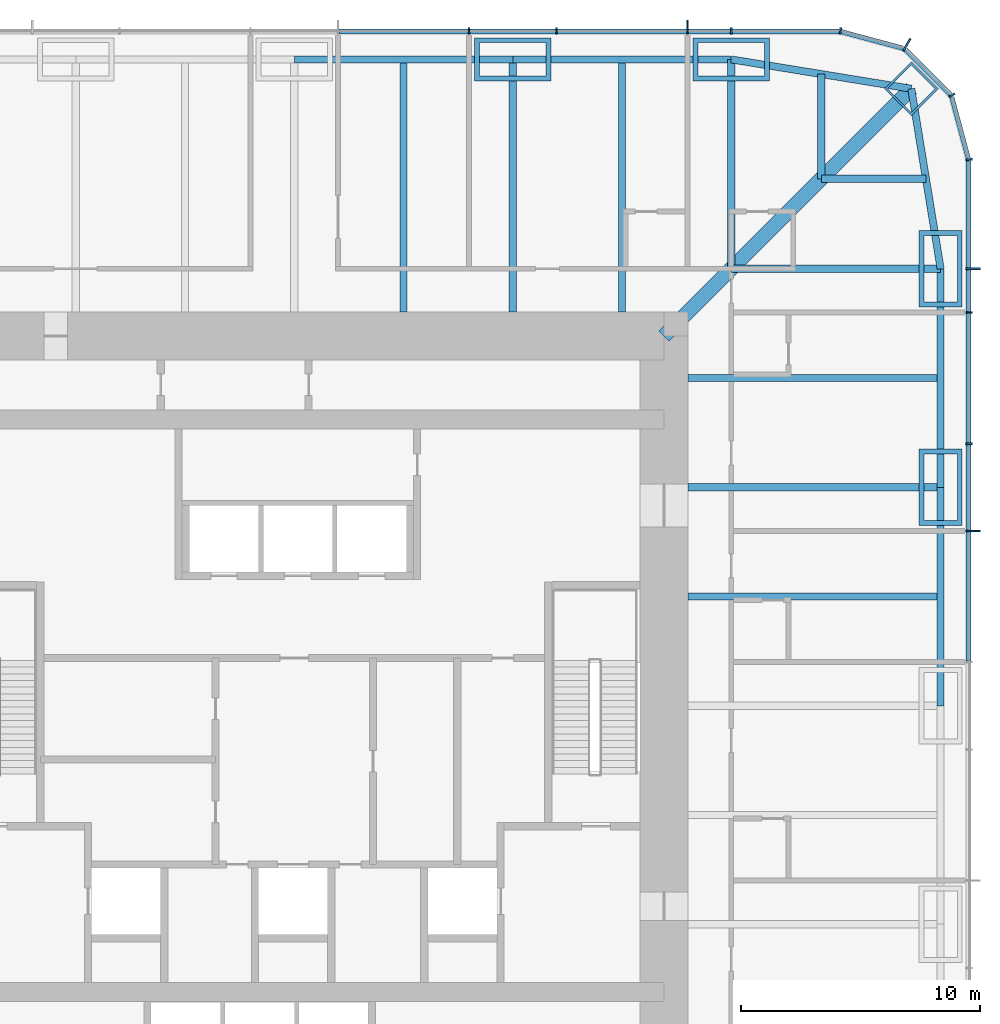
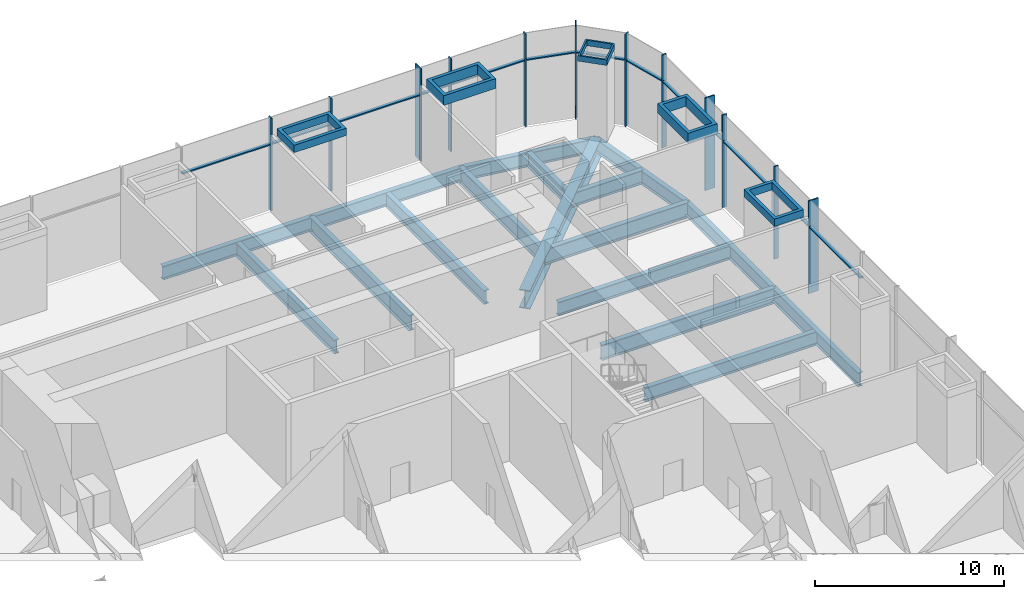
# One storey, part 5 of 12: 30 members, 17 beams, 3 elements without a shape of their own.
"""IFC4 building model written with IfcOpenShell, lengths in metres."""

from ifc_helpers import new_model, si_unit, direction, frame, origin, origin_2d, place, context, subcontext, project, spatial, rectangle, hollow_rectangle, i_section, extrude, material, material_profile, profile_set, type_object, element, aggregate, save


model = new_model("IFC4")

# Units and contexts
model_context = context("Model", 3, precision=1e-05, world=origin(), true_north=direction((0.0, 1.0)))
body_context = subcontext(model_context, "Body", "Model", "MODEL_VIEW")
ifc_project = project(units=[si_unit("LENGTHUNIT", "METRE"), si_unit("AREAUNIT", "SQUARE_METRE"), si_unit("VOLUMEUNIT", "CUBIC_METRE"), si_unit("PLANEANGLEUNIT", "RADIAN"), si_unit("MASSUNIT", "GRAM", prefix="KILO")], contexts=[model_context])

# Site, building, storey
site_placement = place(None, origin())
site = spatial("IfcSite", under=ifc_project, at=site_placement, CompositionType="ELEMENT")
building_placement = place(site_placement, origin())
building = spatial("IfcBuilding", under=site, at=building_placement, Name="Khuree Lantern Residences", CompositionType="ELEMENT")
storey_placement = place(building_placement, frame((0.0, 0.0, 186.0)))
storey = spatial("IfcBuildingStorey", under=building, at=storey_placement, Name="L47", CompositionType="ELEMENT", Elevation=186.0)

# Beams
ifc_material_1 = material(Name="Steel S355", Category="steel")
ifc_material_profile_1 = material_profile(ifc_material_1, i_section(OverallWidth=0.300048828125, OverallDepth=0.889892578125, WebThickness=0.01611328125, FlangeThickness=0.030029296875, FilletRadius=0.030029296875, at=origin_2d()), Name="HE 900 A")
ifc_profile_set_1 = profile_set([ifc_material_profile_1], Name="Steel S355")
beam_type_1 = type_object("IfcBeamType", Name="B-47 SECONDARY BEAM HE 900 A", PredefinedType="BEAM", material=ifc_profile_set_1)
for number, where, z_axis, x_axis, name in (
    (1, (4.580078125, 27.10009765625, -0.7451171875), (0.0, -1.0, 0.0), (1.0, 0.0, 0.0), "Secondary beam N3"),
    (2, (13.739990234375, 27.10009765625, -0.7451171875), (0.0, -1.0, 0.0), (1.0, 0.0, 0.0), "Secondary beam N4"),
):
    element("IfcBeam", number, at=place(storey_placement, frame(where, z_axis=z_axis, x_axis=x_axis)), inside=storey, type_object=beam_type_1, Name=name, PredefinedType="BEAM", context=body_context, shape_type="SweptSolid", body=[
        extrude(i_section(OverallWidth=0.300048828125, OverallDepth=0.889892578125, WebThickness=0.01611328125, FlangeThickness=0.030029296875, FilletRadius=0.030029296875, at=origin_2d()), origin(), (0.0, 0.0, 1.0), 10.60009765625),
    ])
for number, where, z_axis, x_axis, name in (
    (3, (22.094970703125, 26.48486328125, -0.7451171875), (0.0, -1.0, 0.0), (1.0, 0.0, 0.0), "Secondary beam N5"),
    (4, (26.48486328125, 22.094970703125, -0.7451171875), (-1.0, 0.0, 0.0), (0.0, -1.0, 0.0), "Secondary beam E1"),
):
    element("IfcBeam", number, at=place(storey_placement, frame(where, z_axis=z_axis, x_axis=x_axis)), inside=storey, type_object=beam_type_1, Name=name, PredefinedType="BEAM", context=body_context, shape_type="SweptSolid", body=[
        extrude(i_section(OverallWidth=0.300048828125, OverallDepth=0.889892578125, WebThickness=0.01611328125, FlangeThickness=0.030029296875, FilletRadius=0.030029296875, at=origin_2d()), origin(), (0.0, 0.0, 1.0), 4.389892578125),
    ])
for number, where, z_axis, x_axis, name in (
    (5, (27.10009765625, 13.739990234375, -0.7451171875), (-1.0, 0.0, 0.0), (0.0, -1.0, 0.0), "Secondary beam E2"),
    (6, (27.10009765625, 4.580078125, -0.7451171875), (-1.0, 0.0, 0.0), (0.0, -1.0, 0.0), "Secondary beam E3"),
):
    element("IfcBeam", number, at=place(storey_placement, frame(where, z_axis=z_axis, x_axis=x_axis)), inside=storey, type_object=beam_type_1, Name=name, PredefinedType="BEAM", context=body_context, shape_type="SweptSolid", body=[
        extrude(i_section(OverallWidth=0.300048828125, OverallDepth=0.889892578125, WebThickness=0.01611328125, FlangeThickness=0.030029296875, FilletRadius=0.030029296875, at=origin_2d()), origin(), (0.0, 0.0, 1.0), 10.60009765625),
    ])
ifc_material_profile_2 = material_profile(ifc_material_1, i_section(OverallWidth=0.300048828125, OverallDepth=0.889892578125, WebThickness=0.01611328125, FlangeThickness=0.030029296875, FilletRadius=0.030029296875, at=origin_2d()), Name="HE 900 A")
ifc_profile_set_2 = profile_set([ifc_material_profile_2], Name="Steel S355")
beam_type_2 = type_object("IfcBeamType", Name="E-47 SPANDREL BEAM HE 900 A", PredefinedType="SPANDREL", material=ifc_profile_set_2)
beam_1_placement = place(storey_placement, frame((0.0, 27.10009765625, -0.7451171875), z_axis=(1.0, 0.0, 0.0), x_axis=(0.0, 1.0, 0.0)))
element("IfcBeam", 7, at=beam_1_placement, inside=storey, type_object=beam_type_2, Name="Spandrel beam N3", PredefinedType="SPANDREL", context=body_context, shape_type="SweptSolid", body=[
    extrude(i_section(OverallWidth=0.300048828125, OverallDepth=0.889892578125, WebThickness=0.01611328125, FlangeThickness=0.030029296875, FilletRadius=0.030029296875, at=origin_2d()), origin(), (0.0, 0.0, 1.0), 9.159912109375),
])
beam_2_placement = place(storey_placement, frame((9.159912109375, 27.10009765625, -0.7451171875), z_axis=(1.0, 0.0, 0.0), x_axis=(0.0, 1.0, 0.0)))
element("IfcBeam", 8, at=beam_2_placement, inside=storey, type_object=beam_type_2, Name="Spandrel beam N4", PredefinedType="SPANDREL", context=body_context, shape_type="SweptSolid", body=[
    extrude(i_section(OverallWidth=0.300048828125, OverallDepth=0.889892578125, WebThickness=0.01611328125, FlangeThickness=0.030029296875, FilletRadius=0.030029296875, at=origin_2d()), origin(), (0.0, 0.0, 1.0), 9.16015625),
])
for number, where, z_axis, x_axis, name in (
    (9, (18.320068359375, 27.10009765625, -0.7451171875), (0.986982656839, -0.160826723833, 0.0), (0.160826723833, 0.986982656839, 0.0), "Spandrel beam N5"),
    (10, (25.869873046875, 25.869873046875, -0.7451171875), (0.160826723833, -0.986982656839, 0.0), (0.986982656839, 0.160826723833, 0.0), "Spandrel beam E1"),
):
    element("IfcBeam", number, at=place(storey_placement, frame(where, z_axis=z_axis, x_axis=x_axis)), inside=storey, type_object=beam_type_2, Name=name, PredefinedType="SPANDREL", context=body_context, shape_type="SweptSolid", body=[
        extrude(i_section(OverallWidth=0.300048828125, OverallDepth=0.889892578125, WebThickness=0.01611328125, FlangeThickness=0.030029296875, FilletRadius=0.030029296875, at=origin_2d()), origin(), (0.0, 0.0, 1.0), 7.6494140625),
    ])
beam_3_placement = place(storey_placement, frame((27.10009765625, 18.320068359375, -0.7451171875), z_axis=(0.0, -1.0, 0.0), x_axis=(1.0, 0.0, 0.0)))
element("IfcBeam", 11, at=beam_3_placement, inside=storey, type_object=beam_type_2, Name="Spandrel beam E2", PredefinedType="SPANDREL", context=body_context, shape_type="SweptSolid", body=[
    extrude(i_section(OverallWidth=0.300048828125, OverallDepth=0.889892578125, WebThickness=0.01611328125, FlangeThickness=0.030029296875, FilletRadius=0.030029296875, at=origin_2d()), origin(), (0.0, 0.0, 1.0), 9.16015625),
])
beam_4_placement = place(storey_placement, frame((27.10009765625, 9.159912109375, -0.7451171875), z_axis=(0.0, -1.0, 0.0), x_axis=(1.0, 0.0, 0.0)))
element("IfcBeam", 12, at=beam_4_placement, inside=storey, type_object=beam_type_2, Name="Spandrel beam E3", PredefinedType="SPANDREL", context=body_context, shape_type="SweptSolid", body=[
    extrude(i_section(OverallWidth=0.300048828125, OverallDepth=0.889892578125, WebThickness=0.01611328125, FlangeThickness=0.030029296875, FilletRadius=0.030029296875, at=origin_2d()), origin(), (0.0, 0.0, 1.0), 9.159912109375),
])

# Curtain wall, members
ifc_material_2 = material(Name="Bronze anodised aluminium", Category="aluminium")
curtain_wall_type = type_object("IfcCurtainWallType", Name="CW-S SKY STOREY FULL-HEIGHT CURTAIN WALL", PredefinedType="USERDEFINED", material=ifc_material_2)
curtain_wall_1_placement = place(storey_placement, origin())
curtain_wall_1 = element("IfcCurtainWall", 13, at=curtain_wall_1_placement, inside=storey, type_object=curtain_wall_type, Name="L47 EAST FACE CURTAIN WALL", ObjectType="Full-height curtain wall", PredefinedType="USERDEFINED")
ifc_material_profile_3 = material_profile(ifc_material_2, rectangle(XDim=0.074951171875, YDim=0.60009765625, at=origin_2d()), Name="F3 75X600")
ifc_profile_set_3 = profile_set([ifc_material_profile_3], Name="Bronze anodised aluminium")
member_type_1 = type_object("IfcMemberType", Name="F3 BRONZE FIN MULLION SKY 75X600", PredefinedType="MULLION", material=ifc_profile_set_3)
member_1_placement = place(storey_placement, frame((28.449951171875, 7.327880859375, 0.0), z_axis=(0.0, 0.0, 1.0), x_axis=(0.0, 1.0, 0.0)))
member_1 = element("IfcMember", 14, at=member_1_placement, type_object=member_type_1, Name="L47 EAST FACE FIN MULLION 11", PredefinedType="MULLION", context=body_context, shape_type="SweptSolid", body=[
    extrude(rectangle(XDim=0.074951171875, YDim=0.60009765625, at=origin_2d()), origin(), (0.0, 0.0, 1.0), 6.0),
])
member_2_placement = place(storey_placement, frame((28.449951171875, 18.320068359375, 0.0), z_axis=(0.0, 0.0, 1.0), x_axis=(0.0, 1.0, 0.0)))
member_2 = element("IfcMember", 15, at=member_2_placement, type_object=member_type_1, Name="L47 EAST FACE FIN MULLION 14", PredefinedType="MULLION", context=body_context, shape_type="SweptSolid", body=[
    extrude(rectangle(XDim=0.074951171875, YDim=0.60009765625, at=origin_2d()), origin(), (0.0, 0.0, 1.0), 6.0),
])

# Curtain wall, member
curtain_wall_2_placement = place(storey_placement, origin())
curtain_wall_2 = element("IfcCurtainWall", 16, at=curtain_wall_2_placement, inside=storey, type_object=curtain_wall_type, Name="L47 NORTH-EAST CORNER CURTAIN WALL", ObjectType="Full-height curtain wall", PredefinedType="USERDEFINED")
member_3_placement = place(storey_placement, frame((25.675048828125, 27.70654296875, 0.0), z_axis=(0.0, 0.0, 1.0), x_axis=(-0.866025388199, 0.500000026995, 0.0)))
member_3 = element("IfcMember", 17, at=member_3_placement, type_object=member_type_1, Name="L47 NORTH-EAST CORNER FIN MULLION 17", PredefinedType="MULLION", context=body_context, shape_type="SweptSolid", body=[
    extrude(rectangle(XDim=0.074951171875, YDim=0.60009765625, at=origin_2d()), origin(), (0.0, 0.0, 1.0), 6.0),
])

curtain_wall_3_placement = place(storey_placement, origin())
curtain_wall_3 = element("IfcCurtainWall", 18, at=curtain_wall_3_placement, inside=storey, type_object=curtain_wall_type, Name="L47 NORTH FACE CURTAIN WALL", ObjectType="Full-height curtain wall", PredefinedType="USERDEFINED")
member_4_placement = place(storey_placement, frame((16.488037109375, 28.449951171875, 0.0), z_axis=(0.0, 0.0, 1.0), x_axis=(-1.0, 0.0, 0.0)))
member_4 = element("IfcMember", 19, at=member_4_placement, type_object=member_type_1, Name="L47 NORTH FACE FIN MULLION 20", PredefinedType="MULLION", context=body_context, shape_type="SweptSolid", body=[
    extrude(rectangle(XDim=0.074951171875, YDim=0.60009765625, at=origin_2d()), origin(), (0.0, 0.0, 1.0), 6.0),
])

# Beams
ifc_material_profile_4 = material_profile(ifc_material_1, i_section(OverallWidth=0.300048828125, OverallDepth=1.0, WebThickness=0.01904296875, FlangeThickness=0.035888671875, FilletRadius=0.030029296875, at=origin_2d()), Name="HE 1000 B")
ifc_profile_set_4 = profile_set([ifc_material_profile_4], Name="Steel S355")
beam_type_3 = type_object("IfcBeamType", Name="G-47 GIRDER HE 1000 B", PredefinedType="BEAM", material=ifc_profile_set_4)
beam_5_placement = place(storey_placement, frame((9.159912109375, 27.10009765625, -0.800048828125), z_axis=(0.0, -1.0, 0.0), x_axis=(1.0, 0.0, 0.0)))
element("IfcBeam", 20, at=beam_5_placement, inside=storey, type_object=beam_type_3, Name="Girder N4", PredefinedType="BEAM", context=body_context, shape_type="SweptSolid", body=[
    extrude(i_section(OverallWidth=0.300048828125, OverallDepth=1.0, WebThickness=0.01904296875, FlangeThickness=0.035888671875, FilletRadius=0.030029296875, at=origin_2d()), origin(), (0.0, 0.0, 1.0), 10.60009765625),
])
for number, where, z_axis, x_axis, name in (
    (21, (18.320068359375, 27.10009765625, -0.800048828125), (0.0, -1.0, 0.0), (1.0, 0.0, 0.0), "Girder N5"),
    (22, (27.10009765625, 18.320068359375, -0.800048828125), (-1.0, 0.0, 0.0), (0.0, -1.0, 0.0), "Girder E1"),
):
    element("IfcBeam", number, at=place(storey_placement, frame(where, z_axis=z_axis, x_axis=x_axis)), inside=storey, type_object=beam_type_3, Name=name, PredefinedType="BEAM", context=body_context, shape_type="SweptSolid", body=[
        extrude(i_section(OverallWidth=0.300048828125, OverallDepth=1.0, WebThickness=0.01904296875, FlangeThickness=0.035888671875, FilletRadius=0.030029296875, at=origin_2d()), origin(), (0.0, 0.0, 1.0), 8.780029296875),
    ])
beam_6_placement = place(storey_placement, frame((27.10009765625, 9.159912109375, -0.800048828125), z_axis=(-1.0, 0.0, 0.0), x_axis=(0.0, -1.0, 0.0)))
element("IfcBeam", 23, at=beam_6_placement, inside=storey, type_object=beam_type_3, Name="Girder E2", PredefinedType="BEAM", context=body_context, shape_type="SweptSolid", body=[
    extrude(i_section(OverallWidth=0.300048828125, OverallDepth=1.0, WebThickness=0.01904296875, FlangeThickness=0.035888671875, FilletRadius=0.030029296875, at=origin_2d()), origin(), (0.0, 0.0, 1.0), 10.60009765625),
])
ifc_material_profile_5 = material_profile(ifc_material_1, i_section(OverallWidth=0.60009765625, OverallDepth=1.199951171875, WebThickness=0.030029296875, FlangeThickness=0.06005859375, at=origin_2d()), Name="WELDED I 1200X600X30X60")
ifc_profile_set_5 = profile_set([ifc_material_profile_5], Name="Steel S355")
beam_type_4 = type_object("IfcBeamType", Name="GD-47 CORNER GIRDER WELDED I 1200X600X30X60", PredefinedType="BEAM", material=ifc_profile_set_5)
beam_7_placement = place(storey_placement, frame((25.869873046875, 25.869873046875, -0.89990234375), z_axis=(-0.707106781187, -0.707106781187, 0.0), x_axis=(0.707106781187, -0.707106781187, 0.0)))
element("IfcBeam", 24, at=beam_7_placement, inside=storey, type_object=beam_type_4, Name="Corner girder NE", PredefinedType="BEAM", context=body_context, shape_type="SweptSolid", body=[
    extrude(i_section(OverallWidth=0.60009765625, OverallDepth=1.199951171875, WebThickness=0.030029296875, FlangeThickness=0.06005859375, at=origin_2d()), origin(), (0.0, 0.0, 1.0), 14.665283203125),
])

# Members
ifc_material_3 = material(Name="Steel S355 CFT welded box", Category="steel")
ifc_material_profile_6 = material_profile(ifc_material_3, hollow_rectangle(XDim=3.199951171875, YDim=1.800048828125, WallThickness=0.199951171875, at=origin_2d()), Name="WELDED BOX 3200X1800X200")
ifc_profile_set_6 = profile_set([ifc_material_profile_6], Name="Steel S355 CFT welded box")
member_type_2 = type_object("IfcMemberType", Name="MN MEGA COLUMN NODE WELDED BOX 3200X1800X200", PredefinedType="MEMBER", material=ifc_profile_set_6)
member_5_placement = place(storey_placement, frame((9.159912109375, 27.10009765625, 4.8701171875), z_axis=(0.0, 0.0, 1.0), x_axis=(1.0, 0.0, 0.0)))
element("IfcMember", 25, at=member_5_placement, inside=storey, type_object=member_type_2, Name="Mega column node N4", PredefinedType="MEMBER", context=body_context, shape_type="SweptSolid", body=[
    extrude(hollow_rectangle(XDim=3.199951171875, YDim=1.800048828125, WallThickness=0.199951171875, at=origin_2d()), origin(), (0.0, 0.0, 1.0), 0.47998046875),
])
for number, where, z_axis, x_axis, name in (
    (26, (18.320068359375, 27.10009765625, 4.719970703125), (0.0, 0.0, 1.0), (1.0, 0.0, 0.0), "Mega column node N5"),
    (27, (27.10009765625, 18.320068359375, 4.719970703125), (0.0, 0.0, 1.0), (0.0, 1.0, 0.0), "Mega column node E1"),
):
    element("IfcMember", number, at=place(storey_placement, frame(where, z_axis=z_axis, x_axis=x_axis)), inside=storey, type_object=member_type_2, Name=name, PredefinedType="MEMBER", context=body_context, shape_type="SweptSolid", body=[
        extrude(hollow_rectangle(XDim=3.199951171875, YDim=1.800048828125, WallThickness=0.199951171875, at=origin_2d()), origin(), (0.0, 0.0, 1.0), 0.630126953125),
    ])
member_6_placement = place(storey_placement, frame((27.10009765625, 9.159912109375, 4.8701171875), z_axis=(0.0, 0.0, 1.0), x_axis=(0.0, 1.0, 0.0)))
element("IfcMember", 28, at=member_6_placement, inside=storey, type_object=member_type_2, Name="Mega column node E2", PredefinedType="MEMBER", context=body_context, shape_type="SweptSolid", body=[
    extrude(hollow_rectangle(XDim=3.199951171875, YDim=1.800048828125, WallThickness=0.199951171875, at=origin_2d()), origin(), (0.0, 0.0, 1.0), 0.47998046875),
])
ifc_material_profile_7 = material_profile(ifc_material_3, hollow_rectangle(XDim=1.60009765625, YDim=1.60009765625, WallThickness=0.10009765625, at=origin_2d()), Name="WELDED BOX 1600X1600X100")
ifc_profile_set_7 = profile_set([ifc_material_profile_7], Name="Steel S355 CFT welded box")
member_type_3 = type_object("IfcMemberType", Name="MNA MEGA COLUMN NODE WELDED BOX 1600X1600X100", PredefinedType="MEMBER", material=ifc_profile_set_7)
member_7_placement = place(storey_placement, frame((25.869873046875, 25.869873046875, 4.989990234375), z_axis=(0.0, 0.0, 1.0), x_axis=(0.707106781187, -0.707106781187, 0.0)))
element("IfcMember", 29, at=member_7_placement, inside=storey, type_object=member_type_3, Name="Mega column node NE", PredefinedType="MEMBER", context=body_context, shape_type="SweptSolid", body=[
    extrude(hollow_rectangle(XDim=1.60009765625, YDim=1.60009765625, WallThickness=0.10009765625, at=origin_2d()), origin(), (0.0, 0.0, 1.0), 0.360107421875),
])

# Member
ifc_material_profile_8 = material_profile(ifc_material_2, rectangle(XDim=0.074951171875, YDim=0.280029296875, at=origin_2d()), Name="M3 75X280")
ifc_profile_set_8 = profile_set([ifc_material_profile_8], Name="Bronze anodised aluminium")
member_type_4 = type_object("IfcMemberType", Name="MULLION M3 SKY 75X280", PredefinedType="MULLION", material=ifc_profile_set_8)
member_8_placement = place(storey_placement, frame((28.2900390625, 10.991943359375, 0.0), z_axis=(0.0, 0.0, 1.0), x_axis=(0.0, 1.0, 0.0)))
member_8 = element("IfcMember", 30, at=member_8_placement, type_object=member_type_4, Name="L47 EAST FACE MULLION 12", PredefinedType="MULLION", context=body_context, shape_type="SweptSolid", body=[
    extrude(rectangle(XDim=0.074951171875, YDim=0.280029296875, at=origin_2d()), origin(), (0.0, 0.0, 1.0), 6.0),
])

member_9_placement = place(storey_placement, frame((28.2900390625, 16.488037109375, 0.0), z_axis=(0.0, 0.0, 1.0), x_axis=(0.0, 1.0, 0.0)))
member_9 = element("IfcMember", 31, at=member_9_placement, type_object=member_type_4, Name="L47 EAST FACE MULLION 13", PredefinedType="MULLION", context=body_context, shape_type="SweptSolid", body=[
    extrude(rectangle(XDim=0.074951171875, YDim=0.280029296875, at=origin_2d()), origin(), (0.0, 0.0, 1.0), 6.0),
])

member_10_placement = place(storey_placement, frame((28.29150390625, 22.89892578125, 0.0), z_axis=(0.0, 0.0, 1.0), x_axis=(-0.130526223125, 0.991444857305, 0.0)))
member_10 = element("IfcMember", 32, at=member_10_placement, type_object=member_type_4, Name="L47 NORTH-EAST CORNER MULLION 15", PredefinedType="MULLION", context=body_context, shape_type="SweptSolid", body=[
    extrude(rectangle(XDim=0.074951171875, YDim=0.280029296875, at=origin_2d()), origin(), (0.0, 0.0, 1.0), 6.0),
])

member_11_placement = place(storey_placement, frame((27.56787109375, 25.594970703125, 0.0), z_axis=(0.0, 0.0, 1.0), x_axis=(-0.500000026995, 0.866025388199, 0.0)))
member_11 = element("IfcMember", 33, at=member_11_placement, type_object=member_type_4, Name="L47 NORTH-EAST CORNER MULLION 16", PredefinedType="MULLION", context=body_context, shape_type="SweptSolid", body=[
    extrude(rectangle(XDim=0.074951171875, YDim=0.280029296875, at=origin_2d()), origin(), (0.0, 0.0, 1.0), 6.0),
])

member_12_placement = place(storey_placement, frame((22.89892578125, 28.29150390625, 0.0), z_axis=(0.0, 0.0, 1.0), x_axis=(-0.991444857305, 0.130526223125, 0.0)))
member_12 = element("IfcMember", 34, at=member_12_placement, type_object=member_type_4, Name="L47 NORTH FACE MULLION 18", PredefinedType="MULLION", context=body_context, shape_type="SweptSolid", body=[
    extrude(rectangle(XDim=0.074951171875, YDim=0.280029296875, at=origin_2d()), origin(), (0.0, 0.0, 1.0), 6.0),
])

member_13_placement = place(storey_placement, frame((18.320068359375, 28.2900390625, 0.0), z_axis=(0.0, 0.0, 1.0), x_axis=(-1.0, 0.0, 0.0)))
member_13 = element("IfcMember", 35, at=member_13_placement, type_object=member_type_4, Name="L47 NORTH FACE MULLION 19", PredefinedType="MULLION", context=body_context, shape_type="SweptSolid", body=[
    extrude(rectangle(XDim=0.074951171875, YDim=0.280029296875, at=origin_2d()), origin(), (0.0, 0.0, 1.0), 6.0),
])

member_14_placement = place(storey_placement, frame((10.991943359375, 28.2900390625, 0.0), z_axis=(0.0, 0.0, 1.0), x_axis=(-1.0, 0.0, 0.0)))
member_14 = element("IfcMember", 36, at=member_14_placement, type_object=member_type_4, Name="L47 NORTH FACE MULLION 21", PredefinedType="MULLION", context=body_context, shape_type="SweptSolid", body=[
    extrude(rectangle(XDim=0.074951171875, YDim=0.280029296875, at=origin_2d()), origin(), (0.0, 0.0, 1.0), 6.0),
])

member_15_placement = place(storey_placement, frame((7.327880859375, 28.2900390625, 0.0), z_axis=(0.0, 0.0, 1.0), x_axis=(-1.0, 0.0, 0.0)))
member_15 = element("IfcMember", 37, at=member_15_placement, type_object=member_type_4, Name="L47 NORTH FACE MULLION 22", PredefinedType="MULLION", context=body_context, shape_type="SweptSolid", body=[
    extrude(rectangle(XDim=0.074951171875, YDim=0.280029296875, at=origin_2d()), origin(), (0.0, 0.0, 1.0), 6.0),
])

ifc_material_profile_9 = material_profile(ifc_material_2, rectangle(XDim=0.199951171875, YDim=0.074951171875, at=origin_2d()), Name="T3 200X75")
ifc_profile_set_9 = profile_set([ifc_material_profile_9], Name="Bronze anodised aluminium")
member_type_5 = type_object("IfcMemberType", Name="TRANSOM T3 SKY 200X75", PredefinedType="USERDEFINED", material=ifc_profile_set_9)
member_16_placement = place(storey_placement, frame((28.27001953125, 1.869384765625, 4.300048828125), z_axis=(0.0, 1.0, 0.0), x_axis=(-1.0, 0.0, 0.0)))
member_16 = element("IfcMember", 38, at=member_16_placement, type_object=member_type_5, Name="L47 EAST FACE TRANSOM 10.1", ObjectType="Transom", PredefinedType="USERDEFINED", context=body_context, shape_type="SweptSolid", body=[
    extrude(rectangle(XDim=0.199951171875, YDim=0.074951171875, at=origin_2d()), origin(), (0.0, 0.0, 1.0), 5.421142578125),
])

member_17_placement = place(storey_placement, frame((28.27001953125, 7.365478515625, 4.300048828125), z_axis=(0.0, 1.0, 0.0), x_axis=(-1.0, 0.0, 0.0)))
member_17 = element("IfcMember", 39, at=member_17_placement, type_object=member_type_5, Name="L47 EAST FACE TRANSOM 11.1", ObjectType="Transom", PredefinedType="USERDEFINED", context=body_context, shape_type="SweptSolid", body=[
    extrude(rectangle(XDim=0.199951171875, YDim=0.074951171875, at=origin_2d()), origin(), (0.0, 0.0, 1.0), 3.589111328125),
])

member_18_placement = place(storey_placement, frame((28.27001953125, 11.029541015625, 4.300048828125), z_axis=(0.0, 1.0, 0.0), x_axis=(-1.0, 0.0, 0.0)))
member_18 = element("IfcMember", 40, at=member_18_placement, type_object=member_type_5, Name="L47 EAST FACE TRANSOM 12.1", ObjectType="Transom", PredefinedType="USERDEFINED", context=body_context, shape_type="SweptSolid", body=[
    extrude(rectangle(XDim=0.199951171875, YDim=0.074951171875, at=origin_2d()), origin(), (0.0, 0.0, 1.0), 5.4208984375),
])

member_19_placement = place(storey_placement, frame((28.27001953125, 16.525390625, 4.300048828125), z_axis=(0.0, 1.0, 0.0), x_axis=(-1.0, 0.0, 0.0)))
member_19 = element("IfcMember", 41, at=member_19_placement, type_object=member_type_5, Name="L47 EAST FACE TRANSOM 13.1", ObjectType="Transom", PredefinedType="USERDEFINED", context=body_context, shape_type="SweptSolid", body=[
    extrude(rectangle(XDim=0.199951171875, YDim=0.074951171875, at=origin_2d()), origin(), (0.0, 0.0, 1.0), 1.757080078125),
])

member_20_placement = place(storey_placement, frame((28.27001953125, 18.357421875, 4.300048828125), z_axis=(0.0, 1.0, 0.0), x_axis=(-1.0, 0.0, 0.0)))
member_20 = element("IfcMember", 42, at=member_20_placement, type_object=member_type_5, Name="L47 EAST FACE TRANSOM 14.1", ObjectType="Transom", PredefinedType="USERDEFINED", context=body_context, shape_type="SweptSolid", body=[
    extrude(rectangle(XDim=0.199951171875, YDim=0.074951171875, at=origin_2d()), origin(), (0.0, 0.0, 1.0), 4.487548828125),
])

aggregate(curtain_wall_1, [member_1, member_8, member_9, member_2, member_16, member_17, member_18, member_19, member_20])

member_21_placement = place(storey_placement, frame((28.2568359375, 22.9453125, 4.300048828125), z_axis=(-0.258830664379, 0.965922712839, 0.0), x_axis=(-0.965922712839, -0.258830664379, 0.0)))
member_21 = element("IfcMember", 43, at=member_21_placement, type_object=member_type_5, Name="L47 NORTH-EAST CORNER TRANSOM 15.1", ObjectType="Transom", PredefinedType="USERDEFINED", context=body_context, shape_type="SweptSolid", body=[
    extrude(rectangle(XDim=0.199951171875, YDim=0.074951171875, at=origin_2d()), origin(), (0.0, 0.0, 1.0), 2.66650390625),
])

member_22_placement = place(storey_placement, frame((27.503173828125, 25.630859375, 4.300048828125), z_axis=(-0.707106781187, 0.707106781187, 0.0), x_axis=(-0.707106781187, -0.707106781187, 0.0)))
member_22 = element("IfcMember", 44, at=member_22_placement, type_object=member_type_5, Name="L47 NORTH-EAST CORNER TRANSOM 16.1", ObjectType="Transom", PredefinedType="USERDEFINED", context=body_context, shape_type="SweptSolid", body=[
    extrude(rectangle(XDim=0.199951171875, YDim=0.074951171875, at=origin_2d()), origin(), (0.0, 0.0, 1.0), 2.64794921875),
])

member_23_placement = place(storey_placement, frame((25.52099609375, 27.566650390625, 4.300048828125), z_axis=(-0.965922712839, 0.258830664379, 0.0), x_axis=(-0.258830664379, -0.965922712839, 0.0)))
member_23 = element("IfcMember", 45, at=member_23_placement, type_object=member_type_5, Name="L47 NORTH-EAST CORNER TRANSOM 17.1", ObjectType="Transom", PredefinedType="USERDEFINED", context=body_context, shape_type="SweptSolid", body=[
    extrude(rectangle(XDim=0.199951171875, YDim=0.074951171875, at=origin_2d()), origin(), (0.0, 0.0, 1.0), 2.66650390625),
])

aggregate(curtain_wall_2, [member_10, member_11, member_3, member_21, member_22, member_23])

member_24_placement = place(storey_placement, frame((22.844970703125, 28.27001953125, 4.300048828125), z_axis=(-1.0, 0.0, 0.0), x_axis=(0.0, -1.0, 0.0)))
member_24 = element("IfcMember", 46, at=member_24_placement, type_object=member_type_5, Name="L47 NORTH FACE TRANSOM 18.1", ObjectType="Transom", PredefinedType="USERDEFINED", context=body_context, shape_type="SweptSolid", body=[
    extrude(rectangle(XDim=0.199951171875, YDim=0.074951171875, at=origin_2d()), origin(), (0.0, 0.0, 1.0), 4.487548828125),
])

member_25_placement = place(storey_placement, frame((18.282470703125, 28.27001953125, 4.300048828125), z_axis=(-1.0, 0.0, 0.0), x_axis=(0.0, -1.0, 0.0)))
member_25 = element("IfcMember", 47, at=member_25_placement, type_object=member_type_5, Name="L47 NORTH FACE TRANSOM 19.1", ObjectType="Transom", PredefinedType="USERDEFINED", context=body_context, shape_type="SweptSolid", body=[
    extrude(rectangle(XDim=0.199951171875, YDim=0.074951171875, at=origin_2d()), origin(), (0.0, 0.0, 1.0), 1.757080078125),
])

member_26_placement = place(storey_placement, frame((16.450439453125, 28.27001953125, 4.300048828125), z_axis=(-1.0, 0.0, 0.0), x_axis=(0.0, -1.0, 0.0)))
member_26 = element("IfcMember", 48, at=member_26_placement, type_object=member_type_5, Name="L47 NORTH FACE TRANSOM 20.1", ObjectType="Transom", PredefinedType="USERDEFINED", context=body_context, shape_type="SweptSolid", body=[
    extrude(rectangle(XDim=0.199951171875, YDim=0.074951171875, at=origin_2d()), origin(), (0.0, 0.0, 1.0), 5.4208984375),
])

member_27_placement = place(storey_placement, frame((10.95458984375, 28.27001953125, 4.300048828125), z_axis=(-1.0, 0.0, 0.0), x_axis=(0.0, -1.0, 0.0)))
member_27 = element("IfcMember", 49, at=member_27_placement, type_object=member_type_5, Name="L47 NORTH FACE TRANSOM 21.1", ObjectType="Transom", PredefinedType="USERDEFINED", context=body_context, shape_type="SweptSolid", body=[
    extrude(rectangle(XDim=0.199951171875, YDim=0.074951171875, at=origin_2d()), origin(), (0.0, 0.0, 1.0), 3.589111328125),
])

member_28_placement = place(storey_placement, frame((7.29052734375, 28.27001953125, 4.300048828125), z_axis=(-1.0, 0.0, 0.0), x_axis=(0.0, -1.0, 0.0)))
member_28 = element("IfcMember", 50, at=member_28_placement, type_object=member_type_5, Name="L47 NORTH FACE TRANSOM 22.1", ObjectType="Transom", PredefinedType="USERDEFINED", context=body_context, shape_type="SweptSolid", body=[
    extrude(rectangle(XDim=0.199951171875, YDim=0.074951171875, at=origin_2d()), origin(), (0.0, 0.0, 1.0), 5.421142578125),
])

aggregate(curtain_wall_3, [member_12, member_13, member_4, member_14, member_15, member_24, member_25, member_26, member_27, member_28])

save(model, "model.ifc")
